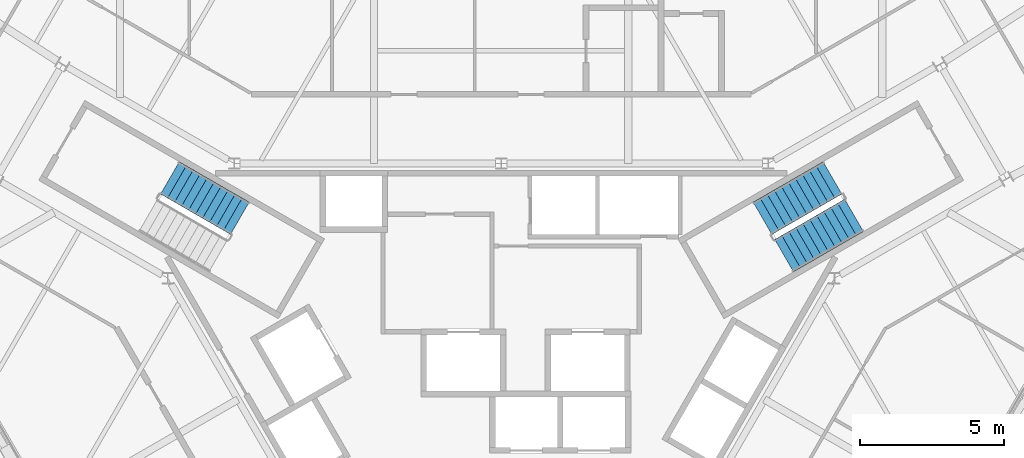
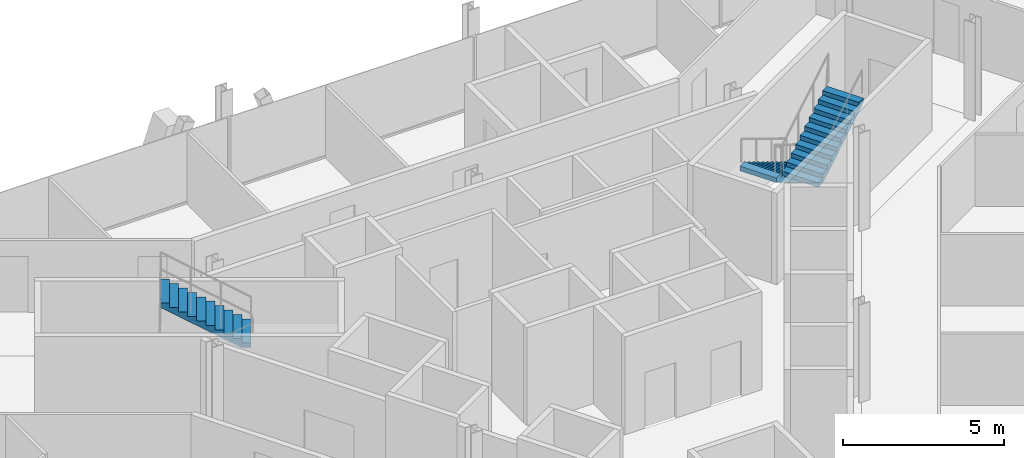
# One storey, part 12 of 14: 3 stair flights, 2 elements without a shape of their own.
"""IFC4 building model written with IfcOpenShell, lengths in metres."""

from ifc_helpers import new_model, si_unit, direction, frame, origin, place, context, subcontext, project, spatial, polyline, outline, extrude, material, type_object, element, aggregate, save


model = new_model("IFC4")

# Units and contexts
model_context = context("Model", 3, precision=1e-05, world=origin(), true_north=direction((0.0, 1.0)))
body_context = subcontext(model_context, "Body", "Model", "MODEL_VIEW")
ifc_project = project(units=[si_unit("LENGTHUNIT", "METRE"), si_unit("AREAUNIT", "SQUARE_METRE"), si_unit("VOLUMEUNIT", "CUBIC_METRE"), si_unit("PLANEANGLEUNIT", "RADIAN"), si_unit("MASSUNIT", "GRAM", prefix="KILO")], contexts=[model_context])

# Site, building, storey
site_placement = place(None, origin())
site = spatial("IfcSite", under=ifc_project, at=site_placement, CompositionType="ELEMENT")
building_placement = place(site_placement, origin())
building = spatial("IfcBuilding", under=site, at=building_placement, Name="Verrane Prism Tower", CompositionType="ELEMENT")
storey_placement = place(building_placement, frame((0.0, 0.0, 224.89990234375)))
storey = spatial("IfcBuildingStorey", under=building, at=storey_placement, Name="L56", CompositionType="ELEMENT", Elevation=224.89990234375)

# Stair, stair flights
ifc_material_1 = material(Name="Concrete C40/50", Category="concrete")
stair_type = type_object("IfcStairType", Name="Exit stair 1300 dog-leg precast concrete C40/50", PredefinedType="HALF_TURN_STAIR", material=ifc_material_1)
stair_1_placement = place(storey_placement, origin())
stair_1 = element("IfcStair", 1, at=stair_1_placement, inside=storey, type_object=stair_type, Name="Stair 1 L56", PredefinedType="HALF_TURN_STAIR")
ifc_material_2 = material(Name="Concrete C40/50", Category="concrete")
stair_flight_type = type_object("IfcStairFlightType", Name="Stair flight 1300 precast concrete C40/50", PredefinedType="STRAIGHT", material=ifc_material_2)
stair_flight_1_placement = place(storey_placement, frame((11.489501953125, 7.49951171875, 0.0), z_axis=(0.0, 0.0, 1.0), x_axis=(-0.866025403784, -0.5, 0.0)))
stair_flight_1 = element("IfcStairFlight", 2, at=stair_flight_1_placement, type_object=stair_flight_type, Name="Stair 1 flight 1", NumberOfRisers=11, NumberOfTreads=10, PredefinedType="STRAIGHT", RiserHeight=0.168181818, TreadLength=0.28, context=body_context, shape_type="SweptSolid", body=[
    extrude(outline(polyline([(0.0, 0.0), (0.0, 0.168212890625), (0.280029296875, 0.168212890625), (0.280029296875, 0.33642578125), (0.56005859375, 0.33642578125), (0.56005859375, 0.504638671875), (0.840087890625, 0.504638671875), (0.840087890625, 0.672607421875), (1.1201171875, 0.672607421875), (1.1201171875, 0.8408203125), (1.39990234375, 0.8408203125), (1.39990234375, 1.009033203125), (1.679931640625, 1.009033203125), (1.679931640625, 1.17724609375), (1.9599609375, 1.17724609375), (1.9599609375, 1.345458984375), (2.239990234375, 1.345458984375), (2.239990234375, 1.513671875), (2.52001953125, 1.513671875), (2.52001953125, 1.681884765625), (2.800048828125, 1.681884765625), (2.800048828125, 1.85009765625), (2.800048828125, 1.5068359375), (0.291015625, 0.0), (0.0, 0.0)])), frame((0.0, 0.64990234375, 0.0), z_axis=(0.0, -1.0, 0.0), x_axis=(1.0, 0.0, 0.0)), (0.0, 0.0, 1.0), 1.300048828125),
])
stair_flight_2_placement = place(storey_placement, frame((9.814697265625, 4.800537109375, 1.85009765625), z_axis=(0.0, 0.0, 1.0), x_axis=(0.866025403784, 0.5, 0.0)))
stair_flight_2 = element("IfcStairFlight", 3, at=stair_flight_2_placement, type_object=stair_flight_type, Name="Stair 1 flight 2", NumberOfRisers=11, NumberOfTreads=10, PredefinedType="STRAIGHT", RiserHeight=0.168181818, TreadLength=0.28, context=body_context, shape_type="SweptSolid", body=[
    extrude(outline(polyline([(0.0, 0.0), (0.0, 0.168212890625), (0.280029296875, 0.168212890625), (0.280029296875, 0.33642578125), (0.56005859375, 0.33642578125), (0.56005859375, 0.504638671875), (0.840087890625, 0.504638671875), (0.840087890625, 0.672607421875), (1.1201171875, 0.672607421875), (1.1201171875, 0.8408203125), (1.39990234375, 0.8408203125), (1.39990234375, 1.009033203125), (1.679931640625, 1.009033203125), (1.679931640625, 1.17724609375), (1.9599609375, 1.17724609375), (1.9599609375, 1.345458984375), (2.239990234375, 1.345458984375), (2.239990234375, 1.513671875), (2.52001953125, 1.513671875), (2.52001953125, 1.681884765625), (2.800048828125, 1.681884765625), (2.800048828125, 1.85009765625), (2.800048828125, 1.5068359375), (0.291015625, 0.0), (0.0, 0.0)])), frame((0.0, 0.64990234375, 0.0), z_axis=(0.0, -1.0, 0.0), x_axis=(1.0, 0.0, 0.0)), (0.0, 0.0, 1.0), 1.300048828125),
])
aggregate(stair_1, [stair_flight_1, stair_flight_2])

# Stair, stair flight
stair_2_placement = place(storey_placement, origin())
stair_2 = element("IfcStair", 4, at=stair_2_placement, inside=storey, type_object=stair_type, Name="Stair 2 L56", PredefinedType="HALF_TURN_STAIR")
stair_flight_3_placement = place(storey_placement, frame((-9.064697265625, 6.099609375, 1.85009765625), z_axis=(0.0, 0.0, 1.0), x_axis=(-0.866025403784, 0.5, 0.0)))
stair_flight_3 = element("IfcStairFlight", 5, at=stair_flight_3_placement, type_object=stair_flight_type, Name="Stair 2 flight 2", NumberOfRisers=11, NumberOfTreads=10, PredefinedType="STRAIGHT", RiserHeight=0.168181818, TreadLength=0.28, context=body_context, shape_type="SweptSolid", body=[
    extrude(outline(polyline([(0.0, 0.0), (0.0, 0.168212890625), (0.280029296875, 0.168212890625), (0.280029296875, 0.33642578125), (0.56005859375, 0.33642578125), (0.56005859375, 0.504638671875), (0.840087890625, 0.504638671875), (0.840087890625, 0.672607421875), (1.1201171875, 0.672607421875), (1.1201171875, 0.8408203125), (1.39990234375, 0.8408203125), (1.39990234375, 1.009033203125), (1.679931640625, 1.009033203125), (1.679931640625, 1.17724609375), (1.9599609375, 1.17724609375), (1.9599609375, 1.345458984375), (2.239990234375, 1.345458984375), (2.239990234375, 1.513671875), (2.52001953125, 1.513671875), (2.52001953125, 1.681884765625), (2.800048828125, 1.681884765625), (2.800048828125, 1.85009765625), (2.800048828125, 1.5068359375), (0.291015625, 0.0), (0.0, 0.0)])), frame((0.0, 0.64990234375, 0.0), z_axis=(0.0, -1.0, 0.0), x_axis=(1.0, 0.0, 0.0)), (0.0, 0.0, 1.0), 1.300048828125),
])
aggregate(stair_2, [stair_flight_3])

save(model, "model.ifc")
